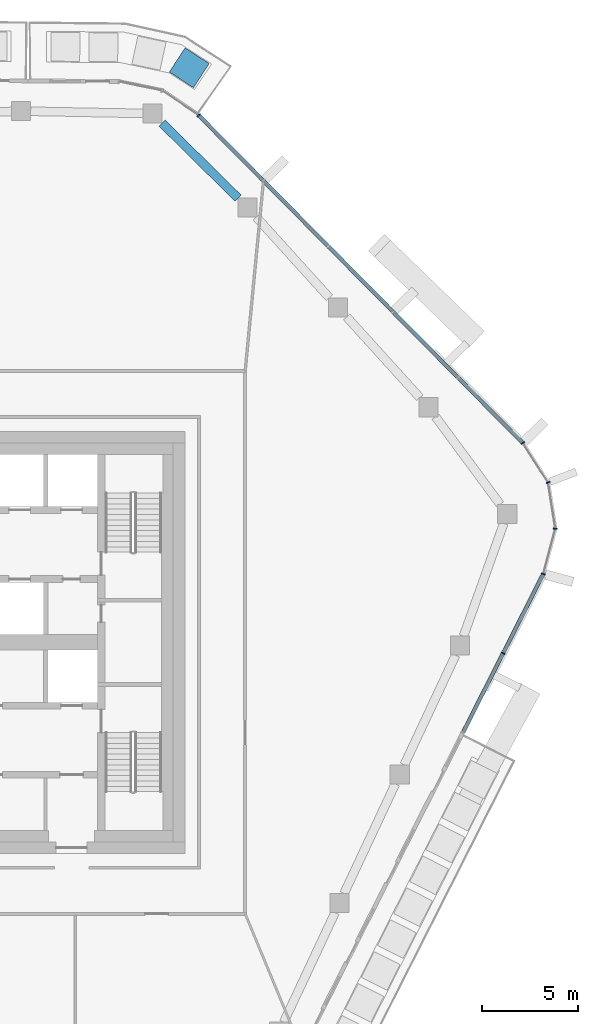
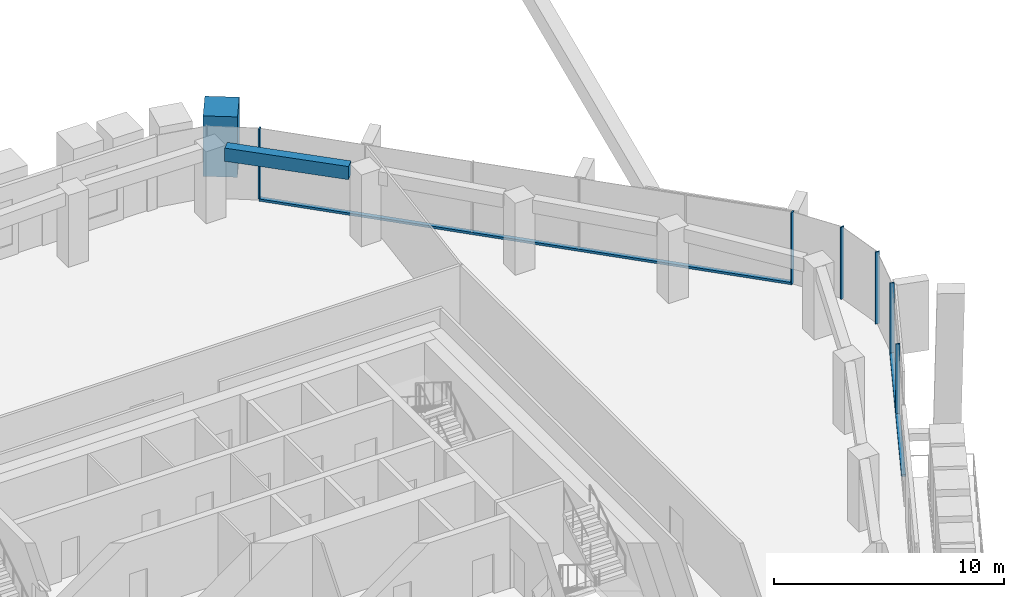
# One storey, part 10 of 23: 9 members, 1 beam, 3 elements without a shape of their own.
"""IFC4 building model written with IfcOpenShell, lengths in metres."""

from ifc_helpers import new_model, si_unit, direction, frame, origin, origin_2d, place, context, subcontext, project, spatial, rectangle, extrude, material, layer, layer_set, material_profile, profile_set, type_object, element, aggregate, save


model = new_model("IFC4")

# Units and contexts
model_context = context("Model", 3, precision=1e-05, world=origin(), true_north=direction((0.0, 1.0)))
body_context = subcontext(model_context, "Body", "Model", "MODEL_VIEW")
ifc_project = project(units=[si_unit("LENGTHUNIT", "METRE"), si_unit("AREAUNIT", "SQUARE_METRE"), si_unit("VOLUMEUNIT", "CUBIC_METRE"), si_unit("PLANEANGLEUNIT", "RADIAN"), si_unit("MASSUNIT", "GRAM", prefix="KILO")], contexts=[model_context])

# Site, building, storey
site_placement = place(None, origin())
site = spatial("IfcSite", under=ifc_project, at=site_placement, CompositionType="ELEMENT")
building_placement = place(site_placement, origin())
building = spatial("IfcBuilding", under=site, at=building_placement, Name="Dongbaek Canopy Tower", CompositionType="ELEMENT")
storey_placement = place(building_placement, frame((0.0, 0.0, 327.800048828125)))
storey = spatial("IfcBuildingStorey", under=building, at=storey_placement, Name="L70", CompositionType="ELEMENT", Elevation=327.800048828125)

# Curtain wall, members
ifc_material_1 = material(Name="Aluminium 6063-T6 pale anodised", Category="aluminium")
ifc_layer = layer(ifc_material_1, 0.199951171875)
ifc_layer_set = layer_set([ifc_layer], Name="CW-1 unitised tower curtain wall")
curtain_wall_type = type_object("IfcCurtainWallType", Name="CW-1 unitised tower curtain wall", PredefinedType="NOTDEFINED", material=ifc_layer_set)
curtain_wall_1_placement = place(storey_placement, origin())
curtain_wall_1 = element("IfcCurtainWall", 1, at=curtain_wall_1_placement, inside=storey, type_object=curtain_wall_type, Name="CW-1 curtain wall K0.1", PredefinedType="NOTDEFINED")
ifc_material_2 = material(Name="Aluminium 6063-T6 pale anodised", Category="aluminium")
ifc_material_profile_1 = material_profile(ifc_material_2, rectangle(XDim=0.199951171875, YDim=0.06005859375, at=origin_2d()), Name="CW-1 mullion 60 x 200")
ifc_profile_set_1 = profile_set([ifc_material_profile_1], Name="Aluminium 6063-T6 pale anodised")
member_type_1 = type_object("IfcMemberType", Name="CW-1 mullion 60 x 200", PredefinedType="MULLION", material=ifc_profile_set_1)
member_1_placement = place(storey_placement, frame((32.68701171875, 3.5625, 0.0), z_axis=(0.0, 0.0, 1.0), x_axis=(0.966173872892, -0.257891541817, 0.0)))
member_1 = element("IfcMember", 2, at=member_1_placement, type_object=member_type_1, Name="CW-1 mullion K0.1.1", PredefinedType="MULLION", context=body_context, shape_type="SweptSolid", body=[
    extrude(rectangle(XDim=0.199951171875, YDim=0.06005859375, at=origin_2d()), origin(), (0.0, 0.0, 1.0), 3.820068359375),
])
member_2_placement = place(storey_placement, frame((33.318359375, 5.927734375, 0.0), z_axis=(0.0, 0.0, 1.0), x_axis=(0.998611357657, -0.052681651057, 0.0)))
member_2 = element("IfcMember", 3, at=member_2_placement, type_object=member_type_1, Name="CW-1 mullion K0.1.2", PredefinedType="MULLION", context=body_context, shape_type="SweptSolid", body=[
    extrude(rectangle(XDim=0.199951171875, YDim=0.06005859375, at=origin_2d()), origin(), (0.0, 0.0, 1.0), 3.820068359375),
])
member_3_placement = place(storey_placement, frame((32.941162109375, 8.335693359375, 0.0), z_axis=(0.0, 0.0, 1.0), x_axis=(0.934636647139, 0.355604187018, 0.0)))
member_3 = element("IfcMember", 4, at=member_3_placement, type_object=member_type_1, Name="CW-1 mullion K0.1.3", PredefinedType="MULLION", context=body_context, shape_type="SweptSolid", body=[
    extrude(rectangle(XDim=0.199951171875, YDim=0.06005859375, at=origin_2d()), origin(), (0.0, 0.0, 1.0), 3.820068359375),
])
member_4_placement = place(storey_placement, frame((31.61669921875, 10.394287109375, 0.0), z_axis=(0.0, 0.0, 1.0), x_axis=(0.840985810818, 0.54105717443, 0.0)))
member_4 = element("IfcMember", 5, at=member_4_placement, type_object=member_type_1, Name="CW-1 mullion K0.1.4", PredefinedType="MULLION", context=body_context, shape_type="SweptSolid", body=[
    extrude(rectangle(XDim=0.199951171875, YDim=0.06005859375, at=origin_2d()), origin(), (0.0, 0.0, 1.0), 3.820068359375),
])
aggregate(curtain_wall_1, [member_1, member_2, member_3, member_4])

# Curtain wall, member
curtain_wall_2_placement = place(storey_placement, origin())
curtain_wall_2 = element("IfcCurtainWall", 6, at=curtain_wall_2_placement, inside=storey, type_object=curtain_wall_type, Name="CW-1 curtain wall F0.1", PredefinedType="NOTDEFINED")
member_5_placement = place(storey_placement, frame((14.72802734375, 27.47216796875, 0.119873046875), z_axis=(0.0, 0.0, 1.0), x_axis=(0.711035260325, 0.703156354287, 0.0)))
member_5 = element("IfcMember", 7, at=member_5_placement, type_object=member_type_1, Name="CW-1 mullion F0.1.6", PredefinedType="MULLION", context=body_context, shape_type="SweptSolid", body=[
    extrude(rectangle(XDim=0.199951171875, YDim=0.06005859375, at=origin_2d()), origin(), (0.0, 0.0, 1.0), 3.7001953125),
])

curtain_wall_3_placement = place(storey_placement, origin())
curtain_wall_3 = element("IfcCurtainWall", 8, at=curtain_wall_3_placement, inside=storey, type_object=curtain_wall_type, Name="CW-1 curtain wall F5.1", PredefinedType="NOTDEFINED")
member_6_placement = place(storey_placement, frame((30.593505859375, -0.569580078125, 0.119873046875), z_axis=(0.0, 0.0, 1.0), x_axis=(0.892033145359, -0.451969985266, 0.0)))
member_6 = element("IfcMember", 9, at=member_6_placement, type_object=member_type_1, Name="CW-1 mullion F5.1.2", PredefinedType="MULLION", context=body_context, shape_type="SweptSolid", body=[
    extrude(rectangle(XDim=0.199951171875, YDim=0.06005859375, at=origin_2d()), origin(), (0.0, 0.0, 1.0), 3.7001953125),
])

# Member
ifc_material_3 = material(Name="Aluminium 6063-T6 pale anodised", Category="aluminium")
ifc_material_profile_2 = material_profile(ifc_material_3, rectangle(XDim=0.199951171875, YDim=0.1201171875, at=origin_2d()), Name="CW-1 transom 120 x 200")
ifc_profile_set_2 = profile_set([ifc_material_profile_2], Name="Aluminium 6063-T6 pale anodised")
member_type_2 = type_object("IfcMemberType", Name="CW-1 transom 120 x 200", PredefinedType="USERDEFINED", material=ifc_profile_set_2)
member_7_placement = place(storey_placement, frame((31.61669921875, 10.394287109375, 0.06005859375), z_axis=(-0.703156968837, 0.711034652584, 0.0), x_axis=(-0.711034652584, -0.703156968837, 0.0)))
member_7 = element("IfcMember", 10, at=member_7_placement, type_object=member_type_2, Name="CW-1 transom F0.1.1", ObjectType="TRANSOM", PredefinedType="USERDEFINED", context=body_context, shape_type="SweptSolid", body=[
    extrude(rectangle(XDim=0.199951171875, YDim=0.1201171875, at=origin_2d()), origin(), (0.0, 0.0, 1.0), 24.018310546875),
])

aggregate(curtain_wall_2, [member_5, member_7])

member_8_placement = place(storey_placement, frame((28.495361328125, -4.710693359375, 0.06005859375), z_axis=(0.451956135194, 0.892040162695, 0.0), x_axis=(-0.892040162695, 0.451956135194, 0.0)))
member_8 = element("IfcMember", 11, at=member_8_placement, type_object=member_type_2, Name="CW-1 transom F5.1.1", ObjectType="TRANSOM", PredefinedType="USERDEFINED", context=body_context, shape_type="SweptSolid", body=[
    extrude(rectangle(XDim=0.199951171875, YDim=0.1201171875, at=origin_2d()), origin(), (0.0, 0.0, 1.0), 9.2744140625),
])

aggregate(curtain_wall_3, [member_6, member_8])

# Beam
ifc_material_4 = material(Name="Concrete C60", Category="concrete")
ifc_material_profile_3 = material_profile(ifc_material_4, rectangle(XDim=0.449951171875, YDim=0.699951171875, at=origin_2d()), Name="RC EDGE BEAM 450x700 C60")
ifc_profile_set_3 = profile_set([ifc_material_profile_3], Name="Concrete C60")
beam_type = type_object("IfcBeamType", Name="RC EDGE BEAM 450x700 C60", PredefinedType="BEAM", material=ifc_profile_set_3)
beam_placement = place(storey_placement, frame((12.81396484375, 27.069580078125, 3.469970703125), z_axis=(0.711740530271, -0.702442465665, 0.0), x_axis=(0.702442465665, 0.711740530271, 0.0)))
element("IfcBeam", 12, at=beam_placement, inside=storey, type_object=beam_type, Name="EDGEBEAM:L70:17", PredefinedType="BEAM", context=body_context, shape_type="SweptSolid", body=[
    extrude(rectangle(XDim=0.449951171875, YDim=0.699951171875, at=origin_2d()), origin(), (0.0, 0.0, 1.0), 5.56640625),
])

# Member
ifc_material_5 = material(Name="Concrete C40/50 planter mass with planting", Category="concrete")
ifc_material_profile_4 = material_profile(ifc_material_5, rectangle(XDim=1.5, YDim=1.5, at=origin_2d()), Name="Terrace PLANTER shrub mass 1500 x 1500")
ifc_profile_set_4 = profile_set([ifc_material_profile_4], Name="Concrete C40/50 planter mass with planting")
member_type_3 = type_object("IfcMemberType", Name="Terrace PLANTER shrub mass 1500 x 1500", PredefinedType="USERDEFINED", material=ifc_profile_set_4)
member_9_placement = place(storey_placement, frame((14.234619140625, 29.948486328125, 0.419921875), z_axis=(0.0, 0.0, 1.0), x_axis=(0.54494899616, 0.83846919537, 0.0)))
element("IfcMember", 13, at=member_9_placement, inside=storey, type_object=member_type_3, Name="Planter shrubs L70 5.1", ObjectType="PLANTER", PredefinedType="USERDEFINED", context=body_context, shape_type="SweptSolid", body=[
    extrude(rectangle(XDim=1.5, YDim=1.5, at=origin_2d()), origin(), (0.0, 0.0, 1.0), 3.2099609375),
])

save(model, "model.ifc")
